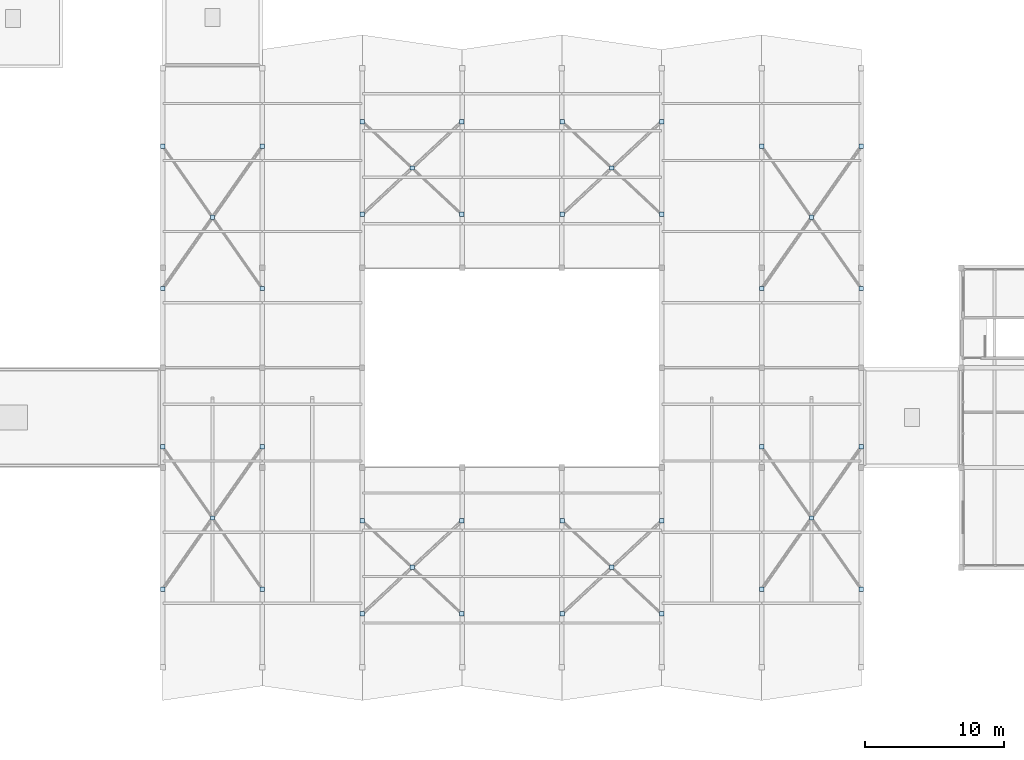
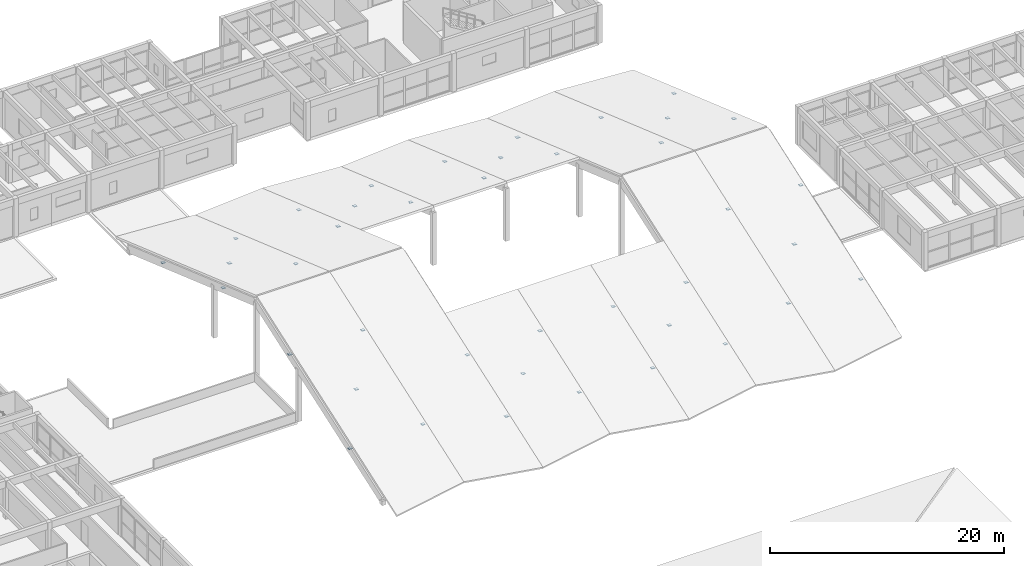
# One storey, part 53 of 68: 40 plates.
"""IFC4 building model written with IfcOpenShell, lengths in metres."""

from ifc_helpers import new_model, si_unit, direction, frame, origin, origin_2d, place, context, subcontext, project, spatial, rectangle, extrude, material, layer, layer_set, type_object, element, save


model = new_model("IFC4")

# Units and contexts
model_context = context("Model", 3, precision=1e-05, world=origin(), true_north=direction((0.0, 1.0)))
body_context = subcontext(model_context, "Body", "Model", "MODEL_VIEW")
ifc_project = project(units=[si_unit("LENGTHUNIT", "METRE"), si_unit("AREAUNIT", "SQUARE_METRE"), si_unit("VOLUMEUNIT", "CUBIC_METRE"), si_unit("PLANEANGLEUNIT", "RADIAN"), si_unit("MASSUNIT", "GRAM", prefix="KILO")], contexts=[model_context])

# Site, building, storey
site_placement = place(None, origin())
site = spatial("IfcSite", under=ifc_project, at=site_placement, CompositionType="ELEMENT")
building_placement = place(site_placement, origin())
building = spatial("IfcBuilding", under=site, at=building_placement, Name="Bramvelor Terrace Health Centre", CompositionType="ELEMENT")
storey_placement = place(building_placement, frame((0.0, 0.0, 9.300048828125)))
storey = spatial("IfcBuildingStorey", under=building, at=storey_placement, Name="L03", CompositionType="ELEMENT", Elevation=9.300048828125)

# Plates
ifc_material_1 = material(Name="Steel S355J2", Category="steel")
ifc_layer_1 = layer(ifc_material_1, 0.01611328125)
ifc_layer_set_1 = layer_set([ifc_layer_1], Name="Steel S355J2")
plate_type_1 = type_object("IfcPlateType", Name="PLT-GUS-16", PredefinedType="USERDEFINED", material=ifc_layer_set_1)
for number, where, z_axis, x_axis, name in (
    (1, (50.385009765625, 41.6298828125, 2.4541015625), (0.0, 0.0, 1.0), (1.0, 0.0, 0.0), "Roof Brace Gusset Plate S1-2-1"),
    (2, (43.215087890625, 51.889892578125, 6.045166015625), (0.0, 0.0, 1.0), (1.0, 0.0, 0.0), "Roof Brace Gusset Plate S1-2-2"),
    (3, (50.385009765625, 63.31005859375, 6.045166015625), (0.0, 0.0, 1.0), (1.0, 0.0, 0.0), "Roof Brace Gusset Plate N1-2-1"),
    (4, (43.215087890625, 73.570068359375, 2.4541015625), (0.0, 0.0, 1.0), (1.0, 0.0, 0.0), "Roof Brace Gusset Plate N1-2-2"),
    (5, (64.784912109375, 39.85009765625, 1.8310546875), (0.0, 0.0, 1.0), (1.0, 0.0, 0.0), "Roof Brace Gusset Plate S3-2-1"),
    (6, (57.614990234375, 46.550048828125, 4.176025390625), (0.0, 0.0, 1.0), (1.0, 0.0, 0.0), "Roof Brace Gusset Plate S3-2-2"),
    (7, (64.784912109375, 68.64990234375, 4.176025390625), (0.0, 0.0, 1.0), (1.0, 0.0, 0.0), "Roof Brace Gusset Plate N3-2-1"),
    (8, (57.614990234375, 75.35009765625, 1.8310546875), (0.0, 0.0, 1.0), (1.0, 0.0, 0.0), "Roof Brace Gusset Plate N3-2-2"),
    (9, (79.18505859375, 39.85009765625, 1.8310546875), (0.0, 0.0, 1.0), (1.0, 0.0, 0.0), "Roof Brace Gusset Plate S5-2-1"),
    (10, (72.014892578125, 46.550048828125, 4.176025390625), (0.0, 0.0, 1.0), (1.0, 0.0, 0.0), "Roof Brace Gusset Plate S5-2-2"),
    (11, (79.18505859375, 68.64990234375, 4.176025390625), (0.0, 0.0, 1.0), (1.0, 0.0, 0.0), "Roof Brace Gusset Plate N5-2-1"),
    (12, (72.014892578125, 75.35009765625, 1.8310546875), (0.0, 0.0, 1.0), (1.0, 0.0, 0.0), "Roof Brace Gusset Plate N5-2-2"),
    (13, (93.5849609375, 41.6298828125, 2.4541015625), (0.0, 0.0, 1.0), (1.0, 0.0, 0.0), "Roof Brace Gusset Plate S7-2-1"),
    (14, (86.4150390625, 51.889892578125, 6.045166015625), (0.0, 0.0, 1.0), (1.0, 0.0, 0.0), "Roof Brace Gusset Plate S7-2-2"),
    (15, (93.5849609375, 63.31005859375, 6.045166015625), (0.0, 0.0, 1.0), (1.0, 0.0, 0.0), "Roof Brace Gusset Plate N7-2-1"),
    (16, (86.4150390625, 73.570068359375, 2.4541015625), (0.0, 0.0, 1.0), (1.0, 0.0, 0.0), "Roof Brace Gusset Plate N7-2-2"),
):
    element("IfcPlate", number, at=place(storey_placement, frame(where, z_axis=z_axis, x_axis=x_axis)), inside=storey, type_object=plate_type_1, Name=name, ObjectType="GUSSET PLATE", PredefinedType="USERDEFINED", context=body_context, shape_type="SweptSolid", body=[
        extrude(rectangle(XDim=0.320068359375, YDim=0.320068359375, at=origin_2d()), origin(), (0.0, 0.0, 1.0), 0.01611328125),
    ])
ifc_material_2 = material(Name="Steel S355J2", Category="steel")
ifc_layer_2 = layer(ifc_material_2, 0.02392578125)
ifc_layer_set_2 = layer_set([ifc_layer_2], Name="Steel S355J2")
plate_type_2 = type_object("IfcPlateType", Name="PLT-GUS-24", PredefinedType="USERDEFINED", material=ifc_layer_set_2)
for number, where, z_axis, x_axis, name in (
    (17, (43.215087890625, 41.6298828125, 2.4501953125), (0.0, 0.0, 1.0), (1.0, 0.0, 0.0), "Roof Brace Gusset Plate S1-1-1"),
    (18, (50.385009765625, 51.889892578125, 6.041259765625), (0.0, 0.0, 1.0), (1.0, 0.0, 0.0), "Roof Brace Gusset Plate S1-1-2"),
    (19, (46.800048828125, 46.760009765625, 4.24560546875), (0.0, 0.0, 1.0), (1.0, 0.0, 0.0), "Roof X-Brace Crossing Node Plate S1"),
    (20, (43.215087890625, 63.31005859375, 6.041259765625), (0.0, 0.0, 1.0), (1.0, 0.0, 0.0), "Roof Brace Gusset Plate N1-1-1"),
    (21, (50.385009765625, 73.570068359375, 2.4501953125), (0.0, 0.0, 1.0), (1.0, 0.0, 0.0), "Roof Brace Gusset Plate N1-1-2"),
    (22, (46.800048828125, 68.43994140625, 4.24560546875), (0.0, 0.0, 1.0), (1.0, 0.0, 0.0), "Roof X-Brace Crossing Node Plate N1"),
    (23, (57.614990234375, 39.85009765625, 1.8271484375), (0.0, 0.0, 1.0), (1.0, 0.0, 0.0), "Roof Brace Gusset Plate S3-1-1"),
    (24, (64.784912109375, 46.550048828125, 4.172119140625), (0.0, 0.0, 1.0), (1.0, 0.0, 0.0), "Roof Brace Gusset Plate S3-1-2"),
    (25, (61.199951171875, 43.199951171875, 2.999755859375), (0.0, 0.0, 1.0), (1.0, 0.0, 0.0), "Roof X-Brace Crossing Node Plate S3"),
    (26, (57.614990234375, 68.64990234375, 4.172119140625), (0.0, 0.0, 1.0), (1.0, 0.0, 0.0), "Roof Brace Gusset Plate N3-1-1"),
    (27, (64.784912109375, 75.35009765625, 1.8271484375), (0.0, 0.0, 1.0), (1.0, 0.0, 0.0), "Roof Brace Gusset Plate N3-1-2"),
    (28, (61.199951171875, 72.0, 2.999755859375), (0.0, 0.0, 1.0), (1.0, 0.0, 0.0), "Roof X-Brace Crossing Node Plate N3"),
    (29, (72.014892578125, 39.85009765625, 1.8271484375), (0.0, 0.0, 1.0), (1.0, 0.0, 0.0), "Roof Brace Gusset Plate S5-1-1"),
    (30, (79.18505859375, 46.550048828125, 4.172119140625), (0.0, 0.0, 1.0), (1.0, 0.0, 0.0), "Roof Brace Gusset Plate S5-1-2"),
    (31, (75.60009765625, 43.199951171875, 2.999755859375), (0.0, 0.0, 1.0), (1.0, 0.0, 0.0), "Roof X-Brace Crossing Node Plate S5"),
    (32, (72.014892578125, 68.64990234375, 4.172119140625), (0.0, 0.0, 1.0), (1.0, 0.0, 0.0), "Roof Brace Gusset Plate N5-1-1"),
    (33, (79.18505859375, 75.35009765625, 1.8271484375), (0.0, 0.0, 1.0), (1.0, 0.0, 0.0), "Roof Brace Gusset Plate N5-1-2"),
    (34, (75.60009765625, 72.0, 2.999755859375), (0.0, 0.0, 1.0), (1.0, 0.0, 0.0), "Roof X-Brace Crossing Node Plate N5"),
    (35, (86.4150390625, 41.6298828125, 2.4501953125), (0.0, 0.0, 1.0), (1.0, 0.0, 0.0), "Roof Brace Gusset Plate S7-1-1"),
    (36, (93.5849609375, 51.889892578125, 6.041259765625), (0.0, 0.0, 1.0), (1.0, 0.0, 0.0), "Roof Brace Gusset Plate S7-1-2"),
    (37, (90.0, 46.760009765625, 4.24560546875), (0.0, 0.0, 1.0), (1.0, 0.0, 0.0), "Roof X-Brace Crossing Node Plate S7"),
    (38, (86.4150390625, 63.31005859375, 6.041259765625), (0.0, 0.0, 1.0), (1.0, 0.0, 0.0), "Roof Brace Gusset Plate N7-1-1"),
    (39, (93.5849609375, 73.570068359375, 2.4501953125), (0.0, 0.0, 1.0), (1.0, 0.0, 0.0), "Roof Brace Gusset Plate N7-1-2"),
    (40, (90.0, 68.43994140625, 4.24560546875), (0.0, 0.0, 1.0), (1.0, 0.0, 0.0), "Roof X-Brace Crossing Node Plate N7"),
):
    element("IfcPlate", number, at=place(storey_placement, frame(where, z_axis=z_axis, x_axis=x_axis)), inside=storey, type_object=plate_type_2, Name=name, ObjectType="GUSSET PLATE", PredefinedType="USERDEFINED", context=body_context, shape_type="SweptSolid", body=[
        extrude(rectangle(XDim=0.320068359375, YDim=0.320068359375, at=origin_2d()), origin(), (0.0, 0.0, 1.0), 0.02392578125),
    ])

save(model, "model.ifc")
